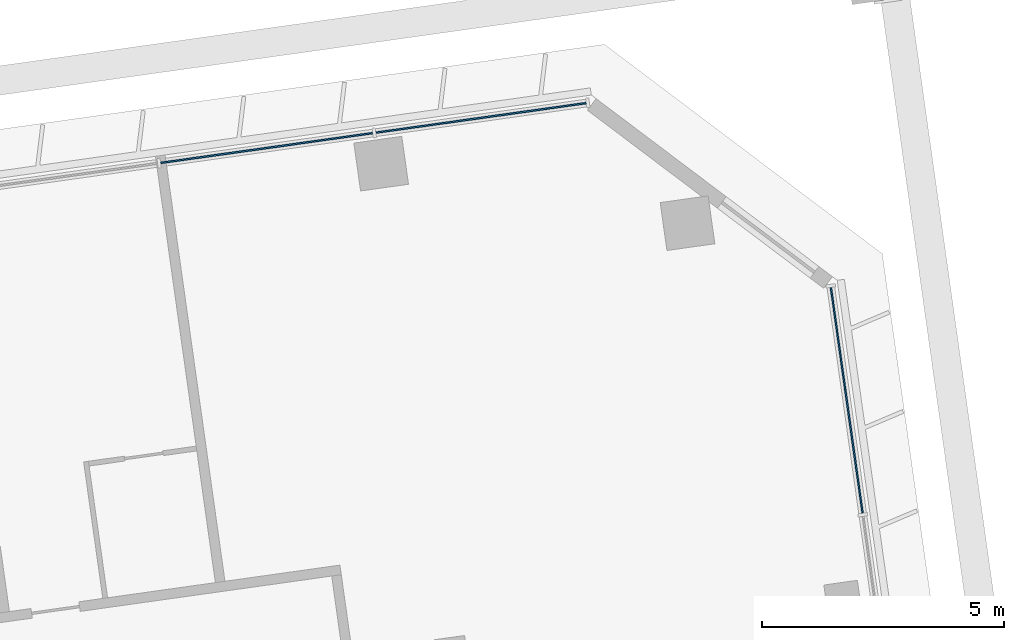
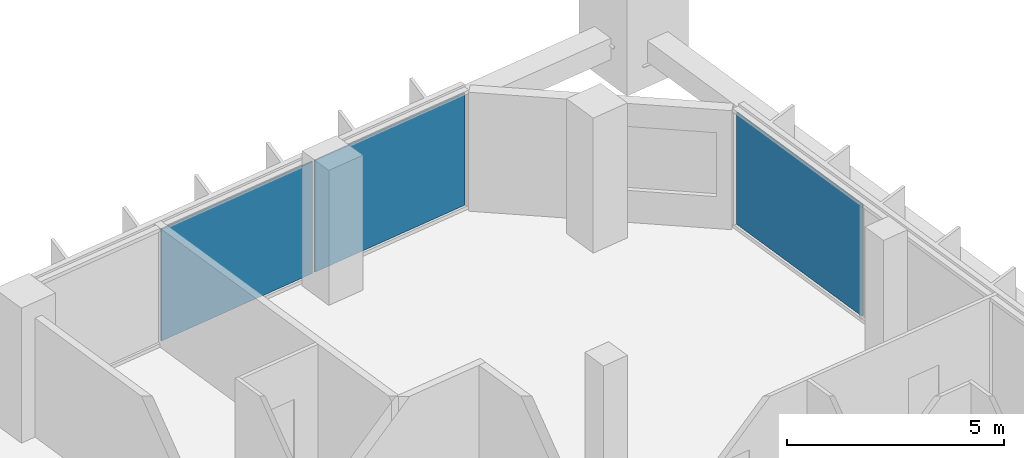
# One storey, part 24 of 46: 3 plates, 2 elements without a shape of their own.
"""IFC4 building model written with IfcOpenShell, lengths in metres."""

from ifc_helpers import new_model, si_unit, direction, frame, origin, origin_2d, place, context, subcontext, project, spatial, rectangle, extrude, material, layer, layer_set, type_object, element, aggregate, save


model = new_model("IFC4")

# Units and contexts
model_context = context("Model", 3, precision=1e-05, world=origin(), true_north=direction((0.0, 1.0)))
body_context = subcontext(model_context, "Body", "Model", "MODEL_VIEW")
ifc_project = project(units=[si_unit("LENGTHUNIT", "METRE"), si_unit("AREAUNIT", "SQUARE_METRE"), si_unit("VOLUMEUNIT", "CUBIC_METRE"), si_unit("PLANEANGLEUNIT", "RADIAN"), si_unit("MASSUNIT", "GRAM", prefix="KILO")], contexts=[model_context])

# Site, building, storey
site_placement = place(None, origin())
site = spatial("IfcSite", under=ifc_project, at=site_placement, CompositionType="ELEMENT")
building_placement = place(site_placement, origin())
building = spatial("IfcBuilding", under=site, at=building_placement, Name="Mirante Cascada Hotel Towers", CompositionType="ELEMENT")
storey_placement = place(building_placement, frame((0.0, 0.0, 39.5)))
storey = spatial("IfcBuildingStorey", under=building, at=storey_placement, Name="L06", CompositionType="ELEMENT", Elevation=39.5)

# Curtain wall, plates
ifc_material_1 = material(Name="Aluminium mullion and transom frame with clear laminated glass", Category="aluminium")
curtain_wall_type_1 = type_object("IfcCurtainWallType", Name="Ribbon curtain wall ECW1", PredefinedType="NOTDEFINED", material=ifc_material_1)
curtain_wall_1_placement = place(storey_placement, origin())
curtain_wall_1 = element("IfcCurtainWall", 1, at=curtain_wall_1_placement, inside=storey, type_object=curtain_wall_type_1, Name="Front ribbon wall T2 L06", PredefinedType="NOTDEFINED")
ifc_material_2 = material(Name="Clear laminated glass", Category="glass")
ifc_layer_1 = layer(ifc_material_2, 0.036)
ifc_layer_set_1 = layer_set([ifc_layer_1], Name="ECW1 glass panel 36")
plate_type_1 = type_object("IfcPlateType", Name="ECW1 glass panel 36", PredefinedType="CURTAIN_PANEL", material=ifc_layer_set_1)
plate_1_placement = place(storey_placement, frame((91.9184, 25.7373, 0.1), z_axis=(0.0, 0.0, 1.0), x_axis=(-0.9902681, -0.1391731, 0.0)))
plate_1 = element("IfcPlate", 2, at=plate_1_placement, type_object=plate_type_1, Name="ECW1 panel 1", PredefinedType="CURTAIN_PANEL", context=body_context, shape_type="SweptSolid", body=[
    extrude(rectangle(XDim=4.3936, YDim=0.036, at=origin_2d()), origin(), (0.0, 0.0, 1.0), 3.15),
])
plate_2_placement = place(storey_placement, frame((87.487, 25.1145, 0.1), z_axis=(0.0, 0.0, 1.0), x_axis=(-0.9902681, -0.1391731, 0.0)))
plate_2 = element("IfcPlate", 3, at=plate_2_placement, type_object=plate_type_1, Name="ECW1 panel 2", PredefinedType="CURTAIN_PANEL", context=body_context, shape_type="SweptSolid", body=[
    extrude(rectangle(XDim=4.4261, YDim=0.036, at=origin_2d()), origin(), (0.0, 0.0, 1.0), 3.15),
])
aggregate(curtain_wall_1, [plate_1, plate_2])

# Curtain wall, plate
ifc_material_3 = material(Name="Aluminium mullion and transom frame with clear laminated glass", Category="aluminium")
curtain_wall_type_2 = type_object("IfcCurtainWallType", Name="End ribbon curtain wall ECW2", PredefinedType="NOTDEFINED", material=ifc_material_3)
curtain_wall_2_placement = place(storey_placement, origin())
curtain_wall_2 = element("IfcCurtainWall", 4, at=curtain_wall_2_placement, inside=storey, type_object=curtain_wall_type_2, Name="Outer end wall T2 L06", PredefinedType="NOTDEFINED")
ifc_material_4 = material(Name="Clear laminated glass", Category="glass")
ifc_layer_2 = layer(ifc_material_4, 0.034)
ifc_layer_set_2 = layer_set([ifc_layer_2], Name="ECW2 glass panel 34")
plate_type_2 = type_object("IfcPlateType", Name="ECW2 glass panel 34", PredefinedType="CURTAIN_PANEL", material=ifc_layer_set_2)
plate_3_placement = place(storey_placement, frame((99.4786, 19.898, 0.1), z_axis=(0.0, 0.0, 1.0), x_axis=(-0.1391731, 0.9902681, 0.0)))
plate_3 = element("IfcPlate", 5, at=plate_3_placement, type_object=plate_type_2, Name="ECW2 panel 6", PredefinedType="CURTAIN_PANEL", context=body_context, shape_type="SweptSolid", body=[
    extrude(rectangle(XDim=4.7151, YDim=0.034, at=origin_2d()), origin(), (0.0, 0.0, 1.0), 3.15),
])
aggregate(curtain_wall_2, [plate_3])

save(model, "model.ifc")
